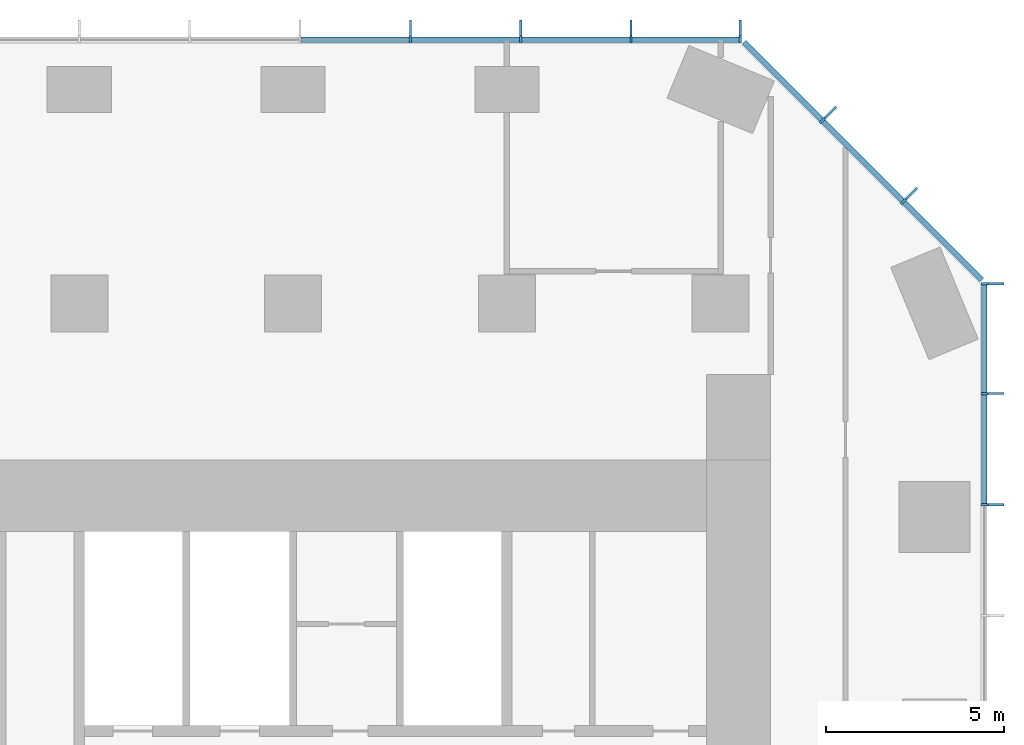
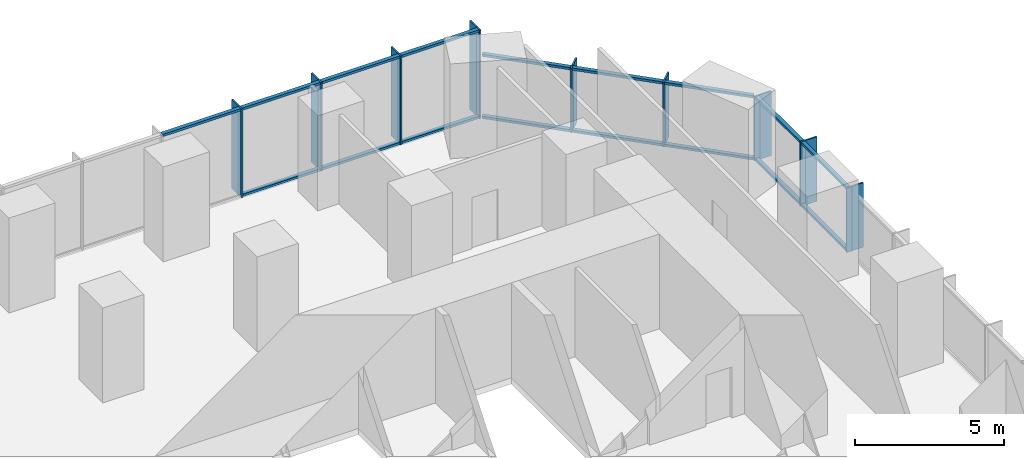
# One storey, part 7 of 13: 35 members, 3 elements without a shape of their own.
"""IFC4 building model written with IfcOpenShell, lengths in metres."""

from ifc_helpers import new_model, si_unit, direction, frame, origin, origin_2d, place, context, subcontext, project, spatial, rectangle, extrude, material, layer, layer_set, material_profile, profile_set, type_object, element, aggregate, save


model = new_model("IFC4")

# Units and contexts
model_context = context("Model", 3, precision=1e-05, world=origin(), true_north=direction((0.0, 1.0)))
body_context = subcontext(model_context, "Body", "Model", "MODEL_VIEW")
ifc_project = project(units=[si_unit("LENGTHUNIT", "METRE"), si_unit("AREAUNIT", "SQUARE_METRE"), si_unit("VOLUMEUNIT", "CUBIC_METRE"), si_unit("PLANEANGLEUNIT", "RADIAN"), si_unit("MASSUNIT", "GRAM", prefix="KILO")], contexts=[model_context])

# Site, building, storey
site_placement = place(None, origin())
site = spatial("IfcSite", under=ifc_project, at=site_placement, CompositionType="ELEMENT")
building_placement = place(site_placement, origin())
building = spatial("IfcBuilding", under=site, at=building_placement, Name="Highveld Stack Headquarters", CompositionType="ELEMENT")
storey_placement = place(building_placement, frame((0.0, 0.0, 136.699951171875)))
storey = spatial("IfcBuildingStorey", under=building, at=storey_placement, Name="L33", CompositionType="ELEMENT", Elevation=136.699951171875)

# Curtain wall, members
ifc_material_1 = material(Name="Aluminium bronze anodised", Category="aluminium")
ifc_layer_1 = layer(ifc_material_1, 0.199951171875)
ifc_layer_set_1 = layer_set([ifc_layer_1], Name="Aluminium bronze anodised")
curtain_wall_type_1 = type_object("IfcCurtainWallType", Name="CW1 TOWER UNITISED CURTAIN WALL", PredefinedType="NOTDEFINED", material=ifc_layer_set_1)
curtain_wall_1_placement = place(storey_placement, origin())
curtain_wall_1 = element("IfcCurtainWall", 1, at=curtain_wall_1_placement, inside=storey, type_object=curtain_wall_type_1, Name="Curtain wall CW1 L33 E", PredefinedType="NOTDEFINED")
ifc_material_2 = material(Name="Aluminium bronze anodised", Category="aluminium")
ifc_material_profile_1 = material_profile(ifc_material_2, rectangle(XDim=0.449951171875, YDim=0.06005859375, at=origin_2d()), Name="FIN 450x60")
ifc_profile_set_1 = profile_set([ifc_material_profile_1], Name="Aluminium bronze anodised")
member_type_1 = type_object("IfcMemberType", Name="CW1 BRONZE FIN 450x60", PredefinedType="USERDEFINED", material=ifc_profile_set_1)
member_1_placement = place(storey_placement, frame((25.72509765625, 12.347900390625, 0.0), z_axis=(0.0, 0.0, 1.0), x_axis=(-1.0, 0.0, 0.0)))
member_1 = element("IfcMember", 2, at=member_1_placement, type_object=member_type_1, Name="CW1 fin L33 9", ObjectType="FIN", PredefinedType="USERDEFINED", context=body_context, shape_type="SweptSolid", body=[
    extrude(rectangle(XDim=0.449951171875, YDim=0.06005859375, at=origin_2d()), origin(), (0.0, 0.0, 1.0), 2.650146484375),
])
member_2_placement = place(storey_placement, frame((25.72509765625, 15.4638671875, 0.0), z_axis=(0.0, 0.0, 1.0), x_axis=(-1.0, 0.0, 0.0)))
member_2 = element("IfcMember", 3, at=member_2_placement, type_object=member_type_1, Name="CW1 fin L33 10", ObjectType="FIN", PredefinedType="USERDEFINED", context=body_context, shape_type="SweptSolid", body=[
    extrude(rectangle(XDim=0.449951171875, YDim=0.06005859375, at=origin_2d()), origin(), (0.0, 0.0, 1.0), 2.650146484375),
])
member_3_placement = place(storey_placement, frame((25.72509765625, 18.54736328125, 0.0), z_axis=(0.0, 0.0, 1.0), x_axis=(-1.0, 0.0, 0.0)))
member_3 = element("IfcMember", 4, at=member_3_placement, type_object=member_type_1, Name="CW1 fin L33 11", ObjectType="FIN", PredefinedType="USERDEFINED", context=body_context, shape_type="SweptSolid", body=[
    extrude(rectangle(XDim=0.449951171875, YDim=0.06005859375, at=origin_2d()), origin(), (0.0, 0.0, 1.0), 2.650146484375),
])

curtain_wall_2_placement = place(storey_placement, origin())
curtain_wall_2 = element("IfcCurtainWall", 5, at=curtain_wall_2_placement, inside=storey, type_object=curtain_wall_type_1, Name="Curtain wall CW1 L33 N", PredefinedType="NOTDEFINED")
member_4_placement = place(storey_placement, frame((18.54736328125, 25.72509765625, 0.0), z_axis=(0.0, 0.0, 1.0), x_axis=(0.0, -1.0, 0.0)))
member_4 = element("IfcMember", 6, at=member_4_placement, type_object=member_type_1, Name="CW1 fin L33 1", ObjectType="FIN", PredefinedType="USERDEFINED", context=body_context, shape_type="SweptSolid", body=[
    extrude(rectangle(XDim=0.449951171875, YDim=0.06005859375, at=origin_2d()), origin(), (0.0, 0.0, 1.0), 3.650146484375),
])
member_5_placement = place(storey_placement, frame((15.483154296875, 25.72509765625, 0.0), z_axis=(0.0, 0.0, 1.0), x_axis=(0.0, -1.0, 0.0)))
member_5 = element("IfcMember", 7, at=member_5_placement, type_object=member_type_1, Name="CW1 fin L33 2", ObjectType="FIN", PredefinedType="USERDEFINED", context=body_context, shape_type="SweptSolid", body=[
    extrude(rectangle(XDim=0.449951171875, YDim=0.06005859375, at=origin_2d()), origin(), (0.0, 0.0, 1.0), 3.650146484375),
])
member_6_placement = place(storey_placement, frame((12.38671875, 25.72509765625, 0.0), z_axis=(0.0, 0.0, 1.0), x_axis=(0.0, -1.0, 0.0)))
member_6 = element("IfcMember", 8, at=member_6_placement, type_object=member_type_1, Name="CW1 fin L33 3", ObjectType="FIN", PredefinedType="USERDEFINED", context=body_context, shape_type="SweptSolid", body=[
    extrude(rectangle(XDim=0.449951171875, YDim=0.06005859375, at=origin_2d()), origin(), (0.0, 0.0, 1.0), 3.650146484375),
])
member_7_placement = place(storey_placement, frame((9.289794921875, 25.72509765625, 0.0), z_axis=(0.0, 0.0, 1.0), x_axis=(0.0, -1.0, 0.0)))
member_7 = element("IfcMember", 9, at=member_7_placement, type_object=member_type_1, Name="CW1 fin L33 4", ObjectType="FIN", PredefinedType="USERDEFINED", context=body_context, shape_type="SweptSolid", body=[
    extrude(rectangle(XDim=0.449951171875, YDim=0.06005859375, at=origin_2d()), origin(), (0.0, 0.0, 1.0), 3.650146484375),
])

# Member
ifc_material_3 = material(Name="Aluminium bronze anodised", Category="aluminium")
ifc_material_profile_2 = material_profile(ifc_material_3, rectangle(XDim=0.199951171875, YDim=0.06494140625, at=origin_2d()), Name="CW1 MULLION 65x200")
ifc_profile_set_2 = profile_set([ifc_material_profile_2], Name="Aluminium bronze anodised")
member_type_2 = type_object("IfcMemberType", Name="CW1 MULLION 65x200", PredefinedType="MULLION", material=ifc_profile_set_2)
member_8_placement = place(storey_placement, frame((25.39990234375, 12.347900390625, 0.0), z_axis=(0.0, 0.0, 1.0), x_axis=(-1.0, 0.0, 0.0)))
member_8 = element("IfcMember", 10, at=member_8_placement, type_object=member_type_2, Name="CW1 mullion L33 9", PredefinedType="MULLION", context=body_context, shape_type="SweptSolid", body=[
    extrude(rectangle(XDim=0.199951171875, YDim=0.06494140625, at=origin_2d()), origin(), (0.0, 0.0, 1.0), 2.650146484375),
])

member_9_placement = place(storey_placement, frame((25.39990234375, 15.4638671875, 0.0), z_axis=(0.0, 0.0, 1.0), x_axis=(-1.0, 0.0, 0.0)))
member_9 = element("IfcMember", 11, at=member_9_placement, type_object=member_type_2, Name="CW1 mullion L33 10", PredefinedType="MULLION", context=body_context, shape_type="SweptSolid", body=[
    extrude(rectangle(XDim=0.199951171875, YDim=0.06494140625, at=origin_2d()), origin(), (0.0, 0.0, 1.0), 2.650146484375),
])

member_10_placement = place(storey_placement, frame((25.39990234375, 18.54736328125, 0.0), z_axis=(0.0, 0.0, 1.0), x_axis=(-1.0, 0.0, 0.0)))
member_10 = element("IfcMember", 12, at=member_10_placement, type_object=member_type_2, Name="CW1 mullion L33 11", PredefinedType="MULLION", context=body_context, shape_type="SweptSolid", body=[
    extrude(rectangle(XDim=0.199951171875, YDim=0.06494140625, at=origin_2d()), origin(), (0.0, 0.0, 1.0), 2.650146484375),
])

member_11_placement = place(storey_placement, frame((18.54736328125, 25.39990234375, 0.0), z_axis=(0.0, 0.0, 1.0), x_axis=(0.0, -1.0, 0.0)))
member_11 = element("IfcMember", 13, at=member_11_placement, type_object=member_type_2, Name="CW1 mullion L33 1", PredefinedType="MULLION", context=body_context, shape_type="SweptSolid", body=[
    extrude(rectangle(XDim=0.199951171875, YDim=0.06494140625, at=origin_2d()), origin(), (0.0, 0.0, 1.0), 3.650146484375),
])

member_12_placement = place(storey_placement, frame((15.483154296875, 25.39990234375, 0.0), z_axis=(0.0, 0.0, 1.0), x_axis=(0.0, -1.0, 0.0)))
member_12 = element("IfcMember", 14, at=member_12_placement, type_object=member_type_2, Name="CW1 mullion L33 2", PredefinedType="MULLION", context=body_context, shape_type="SweptSolid", body=[
    extrude(rectangle(XDim=0.199951171875, YDim=0.06494140625, at=origin_2d()), origin(), (0.0, 0.0, 1.0), 3.650146484375),
])

member_13_placement = place(storey_placement, frame((12.38671875, 25.39990234375, 0.0), z_axis=(0.0, 0.0, 1.0), x_axis=(0.0, -1.0, 0.0)))
member_13 = element("IfcMember", 15, at=member_13_placement, type_object=member_type_2, Name="CW1 mullion L33 3", PredefinedType="MULLION", context=body_context, shape_type="SweptSolid", body=[
    extrude(rectangle(XDim=0.199951171875, YDim=0.06494140625, at=origin_2d()), origin(), (0.0, 0.0, 1.0), 3.650146484375),
])

member_14_placement = place(storey_placement, frame((9.289794921875, 25.39990234375, 0.0), z_axis=(0.0, 0.0, 1.0), x_axis=(0.0, -1.0, 0.0)))
member_14 = element("IfcMember", 16, at=member_14_placement, type_object=member_type_2, Name="CW1 mullion L33 4", PredefinedType="MULLION", context=body_context, shape_type="SweptSolid", body=[
    extrude(rectangle(XDim=0.199951171875, YDim=0.06494140625, at=origin_2d()), origin(), (0.0, 0.0, 1.0), 3.650146484375),
])

ifc_material_4 = material(Name="Aluminium bronze anodised", Category="aluminium")
ifc_material_profile_3 = material_profile(ifc_material_4, rectangle(XDim=0.14990234375, YDim=0.10009765625, at=origin_2d()), Name="CW1 TRANSOM 150x100")
ifc_profile_set_3 = profile_set([ifc_material_profile_3], Name="Aluminium bronze anodised")
member_type_3 = type_object("IfcMemberType", Name="CW1 STACK TRANSOM 150x100", PredefinedType="USERDEFINED", material=ifc_profile_set_3)
member_15_placement = place(storey_placement, frame((25.39990234375, 12.38037109375, 0.050048828125), z_axis=(0.0, 1.0, 0.0), x_axis=(-1.0, 0.0, 0.0)))
member_15 = element("IfcMember", 17, at=member_15_placement, type_object=member_type_3, Name="CW1 transom L33 9.1", ObjectType="TRANSOM", PredefinedType="USERDEFINED", context=body_context, shape_type="SweptSolid", body=[
    extrude(rectangle(XDim=0.14990234375, YDim=0.10009765625, at=origin_2d()), origin(), (0.0, 0.0, 1.0), 3.051025390625),
])

member_16_placement = place(storey_placement, frame((25.39990234375, 12.38037109375, 2.60009765625), z_axis=(0.0, 1.0, 0.0), x_axis=(-1.0, 0.0, 0.0)))
member_16 = element("IfcMember", 18, at=member_16_placement, type_object=member_type_3, Name="CW1 transom L33 9.2", ObjectType="TRANSOM", PredefinedType="USERDEFINED", context=body_context, shape_type="SweptSolid", body=[
    extrude(rectangle(XDim=0.14990234375, YDim=0.10009765625, at=origin_2d()), origin(), (0.0, 0.0, 1.0), 3.051025390625),
])

member_17_placement = place(storey_placement, frame((25.39990234375, 15.496337890625, 0.050048828125), z_axis=(0.0, 1.0, 0.0), x_axis=(-1.0, 0.0, 0.0)))
member_17 = element("IfcMember", 19, at=member_17_placement, type_object=member_type_3, Name="CW1 transom L33 10.1", ObjectType="TRANSOM", PredefinedType="USERDEFINED", context=body_context, shape_type="SweptSolid", body=[
    extrude(rectangle(XDim=0.14990234375, YDim=0.10009765625, at=origin_2d()), origin(), (0.0, 0.0, 1.0), 3.0185546875),
])

member_18_placement = place(storey_placement, frame((25.39990234375, 15.496337890625, 2.60009765625), z_axis=(0.0, 1.0, 0.0), x_axis=(-1.0, 0.0, 0.0)))
member_18 = element("IfcMember", 20, at=member_18_placement, type_object=member_type_3, Name="CW1 transom L33 10.2", ObjectType="TRANSOM", PredefinedType="USERDEFINED", context=body_context, shape_type="SweptSolid", body=[
    extrude(rectangle(XDim=0.14990234375, YDim=0.10009765625, at=origin_2d()), origin(), (0.0, 0.0, 1.0), 3.0185546875),
])

aggregate(curtain_wall_1, [member_8, member_1, member_9, member_2, member_10, member_3, member_15, member_16, member_17, member_18])

member_19_placement = place(storey_placement, frame((18.514892578125, 25.39990234375, 0.050048828125), z_axis=(-1.0, 0.0, 0.0), x_axis=(0.0, -1.0, 0.0)))
member_19 = element("IfcMember", 21, at=member_19_placement, type_object=member_type_3, Name="CW1 transom L33 1.1", ObjectType="TRANSOM", PredefinedType="USERDEFINED", context=body_context, shape_type="SweptSolid", body=[
    extrude(rectangle(XDim=0.14990234375, YDim=0.10009765625, at=origin_2d()), origin(), (0.0, 0.0, 1.0), 2.999267578125),
])

member_20_placement = place(storey_placement, frame((18.514892578125, 25.39990234375, 3.60009765625), z_axis=(-1.0, 0.0, 0.0), x_axis=(0.0, -1.0, 0.0)))
member_20 = element("IfcMember", 22, at=member_20_placement, type_object=member_type_3, Name="CW1 transom L33 1.2", ObjectType="TRANSOM", PredefinedType="USERDEFINED", context=body_context, shape_type="SweptSolid", body=[
    extrude(rectangle(XDim=0.14990234375, YDim=0.10009765625, at=origin_2d()), origin(), (0.0, 0.0, 1.0), 2.999267578125),
])

member_21_placement = place(storey_placement, frame((15.45068359375, 25.39990234375, 0.050048828125), z_axis=(-1.0, 0.0, 0.0), x_axis=(0.0, -1.0, 0.0)))
member_21 = element("IfcMember", 23, at=member_21_placement, type_object=member_type_3, Name="CW1 transom L33 2.1", ObjectType="TRANSOM", PredefinedType="USERDEFINED", context=body_context, shape_type="SweptSolid", body=[
    extrude(rectangle(XDim=0.14990234375, YDim=0.10009765625, at=origin_2d()), origin(), (0.0, 0.0, 1.0), 3.031494140625),
])

member_22_placement = place(storey_placement, frame((15.45068359375, 25.39990234375, 3.60009765625), z_axis=(-1.0, 0.0, 0.0), x_axis=(0.0, -1.0, 0.0)))
member_22 = element("IfcMember", 24, at=member_22_placement, type_object=member_type_3, Name="CW1 transom L33 2.2", ObjectType="TRANSOM", PredefinedType="USERDEFINED", context=body_context, shape_type="SweptSolid", body=[
    extrude(rectangle(XDim=0.14990234375, YDim=0.10009765625, at=origin_2d()), origin(), (0.0, 0.0, 1.0), 3.031494140625),
])

member_23_placement = place(storey_placement, frame((12.35400390625, 25.39990234375, 0.050048828125), z_axis=(-1.0, 0.0, 0.0), x_axis=(0.0, -1.0, 0.0)))
member_23 = element("IfcMember", 25, at=member_23_placement, type_object=member_type_3, Name="CW1 transom L33 3.1", ObjectType="TRANSOM", PredefinedType="USERDEFINED", context=body_context, shape_type="SweptSolid", body=[
    extrude(rectangle(XDim=0.14990234375, YDim=0.10009765625, at=origin_2d()), origin(), (0.0, 0.0, 1.0), 3.031494140625),
])

member_24_placement = place(storey_placement, frame((12.35400390625, 25.39990234375, 3.60009765625), z_axis=(-1.0, 0.0, 0.0), x_axis=(0.0, -1.0, 0.0)))
member_24 = element("IfcMember", 26, at=member_24_placement, type_object=member_type_3, Name="CW1 transom L33 3.2", ObjectType="TRANSOM", PredefinedType="USERDEFINED", context=body_context, shape_type="SweptSolid", body=[
    extrude(rectangle(XDim=0.14990234375, YDim=0.10009765625, at=origin_2d()), origin(), (0.0, 0.0, 1.0), 3.031494140625),
])

member_25_placement = place(storey_placement, frame((9.25732421875, 25.39990234375, 3.60009765625), z_axis=(-1.0, 0.0, 0.0), x_axis=(0.0, -1.0, 0.0)))
member_25 = element("IfcMember", 27, at=member_25_placement, type_object=member_type_3, Name="CW1 transom L33 4.2", ObjectType="TRANSOM", PredefinedType="USERDEFINED", context=body_context, shape_type="SweptSolid", body=[
    extrude(rectangle(XDim=0.14990234375, YDim=0.10009765625, at=origin_2d()), origin(), (0.0, 0.0, 1.0), 3.031494140625),
])

aggregate(curtain_wall_2, [member_11, member_4, member_12, member_5, member_13, member_6, member_14, member_7, member_19, member_20, member_21, member_22, member_23, member_24, member_25])

# Curtain wall, members
ifc_material_5 = material(Name="Aluminium bronze anodised", Category="aluminium")
ifc_layer_2 = layer(ifc_material_5, 0.199951171875)
ifc_layer_set_2 = layer_set([ifc_layer_2], Name="Aluminium bronze anodised")
curtain_wall_type_2 = type_object("IfcCurtainWallType", Name="CW2 TOWER CHAMFER UNITISED CURTAIN WALL", PredefinedType="NOTDEFINED", material=ifc_layer_set_2)
curtain_wall_3_placement = place(storey_placement, origin())
curtain_wall_3 = element("IfcCurtainWall", 28, at=curtain_wall_3_placement, inside=storey, type_object=curtain_wall_type_2, Name="Curtain wall CW2 L33 NE", PredefinedType="NOTDEFINED")
ifc_material_6 = material(Name="Aluminium bronze anodised", Category="aluminium")
ifc_material_profile_4 = material_profile(ifc_material_6, rectangle(XDim=0.449951171875, YDim=0.06005859375, at=origin_2d()), Name="FIN 450x60")
ifc_profile_set_4 = profile_set([ifc_material_profile_4], Name="Aluminium bronze anodised")
member_type_4 = type_object("IfcMemberType", Name="CW2 BRONZE FIN 450x60", PredefinedType="USERDEFINED", material=ifc_profile_set_4)
member_26_placement = place(storey_placement, frame((23.3564453125, 21.0830078125, 0.0), z_axis=(0.0, 0.0, 1.0), x_axis=(-0.707106781187, -0.707106781187, 0.0)))
member_26 = element("IfcMember", 29, at=member_26_placement, type_object=member_type_4, Name="CW2 fin L33 1", ObjectType="FIN", PredefinedType="USERDEFINED", context=body_context, shape_type="SweptSolid", body=[
    extrude(rectangle(XDim=0.449951171875, YDim=0.06005859375, at=origin_2d()), origin(), (0.0, 0.0, 1.0), 2.650146484375),
])
member_27_placement = place(storey_placement, frame((21.0830078125, 23.3564453125, 0.0), z_axis=(0.0, 0.0, 1.0), x_axis=(-0.707106781187, -0.707106781187, 0.0)))
member_27 = element("IfcMember", 30, at=member_27_placement, type_object=member_type_4, Name="CW2 fin L33 2", ObjectType="FIN", PredefinedType="USERDEFINED", context=body_context, shape_type="SweptSolid", body=[
    extrude(rectangle(XDim=0.449951171875, YDim=0.06005859375, at=origin_2d()), origin(), (0.0, 0.0, 1.0), 2.650146484375),
])
ifc_material_7 = material(Name="Aluminium bronze anodised", Category="aluminium")
ifc_material_profile_5 = material_profile(ifc_material_7, rectangle(XDim=0.199951171875, YDim=0.06494140625, at=origin_2d()), Name="CW2 MULLION 65x200")
ifc_profile_set_5 = profile_set([ifc_material_profile_5], Name="Aluminium bronze anodised")
member_type_5 = type_object("IfcMemberType", Name="CW2 MULLION 65x200", PredefinedType="MULLION", material=ifc_profile_set_5)
member_28_placement = place(storey_placement, frame((23.126708984375, 20.853271484375, 0.0), z_axis=(0.0, 0.0, 1.0), x_axis=(-0.707106781187, -0.707106781187, 0.0)))
member_28 = element("IfcMember", 31, at=member_28_placement, type_object=member_type_5, Name="CW2 mullion L33 1", PredefinedType="MULLION", context=body_context, shape_type="SweptSolid", body=[
    extrude(rectangle(XDim=0.199951171875, YDim=0.06494140625, at=origin_2d()), origin(), (0.0, 0.0, 1.0), 2.650146484375),
])
member_29_placement = place(storey_placement, frame((20.853271484375, 23.126708984375, 0.0), z_axis=(0.0, 0.0, 1.0), x_axis=(-0.707106781187, -0.707106781187, 0.0)))
member_29 = element("IfcMember", 32, at=member_29_placement, type_object=member_type_5, Name="CW2 mullion L33 2", PredefinedType="MULLION", context=body_context, shape_type="SweptSolid", body=[
    extrude(rectangle(XDim=0.199951171875, YDim=0.06494140625, at=origin_2d()), origin(), (0.0, 0.0, 1.0), 2.650146484375),
])
ifc_material_8 = material(Name="Aluminium bronze anodised", Category="aluminium")
ifc_material_profile_6 = material_profile(ifc_material_8, rectangle(XDim=0.14990234375, YDim=0.10009765625, at=origin_2d()), Name="CW2 TRANSOM 150x100")
ifc_profile_set_6 = profile_set([ifc_material_profile_6], Name="Aluminium bronze anodised")
member_type_6 = type_object("IfcMemberType", Name="CW2 STACK TRANSOM 150x100", PredefinedType="USERDEFINED", material=ifc_profile_set_6)
member_30_placement = place(storey_placement, frame((25.329345703125, 18.650634765625, 0.050048828125), z_axis=(-0.707106781187, 0.707106781187, 0.0), x_axis=(-0.707106781187, -0.707106781187, 0.0)))
member_30 = element("IfcMember", 33, at=member_30_placement, type_object=member_type_6, Name="CW2 transom L33 1.1", ObjectType="TRANSOM", PredefinedType="USERDEFINED", context=body_context, shape_type="SweptSolid", body=[
    extrude(rectangle(XDim=0.14990234375, YDim=0.10009765625, at=origin_2d()), origin(), (0.0, 0.0, 1.0), 3.08251953125),
])
member_31_placement = place(storey_placement, frame((25.329345703125, 18.650634765625, 2.60009765625), z_axis=(-0.707106781187, 0.707106781187, 0.0), x_axis=(-0.707106781187, -0.707106781187, 0.0)))
member_31 = element("IfcMember", 34, at=member_31_placement, type_object=member_type_6, Name="CW2 transom L33 1.2", ObjectType="TRANSOM", PredefinedType="USERDEFINED", context=body_context, shape_type="SweptSolid", body=[
    extrude(rectangle(XDim=0.14990234375, YDim=0.10009765625, at=origin_2d()), origin(), (0.0, 0.0, 1.0), 3.08251953125),
])
member_32_placement = place(storey_placement, frame((23.103759765625, 20.876220703125, 0.050048828125), z_axis=(-0.707106781187, 0.707106781187, 0.0), x_axis=(-0.707106781187, -0.707106781187, 0.0)))
member_32 = element("IfcMember", 35, at=member_32_placement, type_object=member_type_6, Name="CW2 transom L33 2.1", ObjectType="TRANSOM", PredefinedType="USERDEFINED", context=body_context, shape_type="SweptSolid", body=[
    extrude(rectangle(XDim=0.14990234375, YDim=0.10009765625, at=origin_2d()), origin(), (0.0, 0.0, 1.0), 3.150146484375),
])
member_33_placement = place(storey_placement, frame((23.103759765625, 20.876220703125, 2.60009765625), z_axis=(-0.707106781187, 0.707106781187, 0.0), x_axis=(-0.707106781187, -0.707106781187, 0.0)))
member_33 = element("IfcMember", 36, at=member_33_placement, type_object=member_type_6, Name="CW2 transom L33 2.2", ObjectType="TRANSOM", PredefinedType="USERDEFINED", context=body_context, shape_type="SweptSolid", body=[
    extrude(rectangle(XDim=0.14990234375, YDim=0.10009765625, at=origin_2d()), origin(), (0.0, 0.0, 1.0), 3.150146484375),
])
member_34_placement = place(storey_placement, frame((20.830322265625, 23.149658203125, 0.050048828125), z_axis=(-0.707106781187, 0.707106781187, 0.0), x_axis=(-0.707106781187, -0.707106781187, 0.0)))
member_34 = element("IfcMember", 37, at=member_34_placement, type_object=member_type_6, Name="CW2 transom L33 3.1", ObjectType="TRANSOM", PredefinedType="USERDEFINED", context=body_context, shape_type="SweptSolid", body=[
    extrude(rectangle(XDim=0.14990234375, YDim=0.10009765625, at=origin_2d()), origin(), (0.0, 0.0, 1.0), 3.08251953125),
])
member_35_placement = place(storey_placement, frame((20.830322265625, 23.149658203125, 2.60009765625), z_axis=(-0.707106781187, 0.707106781187, 0.0), x_axis=(-0.707106781187, -0.707106781187, 0.0)))
member_35 = element("IfcMember", 38, at=member_35_placement, type_object=member_type_6, Name="CW2 transom L33 3.2", ObjectType="TRANSOM", PredefinedType="USERDEFINED", context=body_context, shape_type="SweptSolid", body=[
    extrude(rectangle(XDim=0.14990234375, YDim=0.10009765625, at=origin_2d()), origin(), (0.0, 0.0, 1.0), 3.08251953125),
])
aggregate(curtain_wall_3, [member_28, member_26, member_29, member_27, member_30, member_31, member_32, member_33, member_34, member_35])

save(model, "model.ifc")
